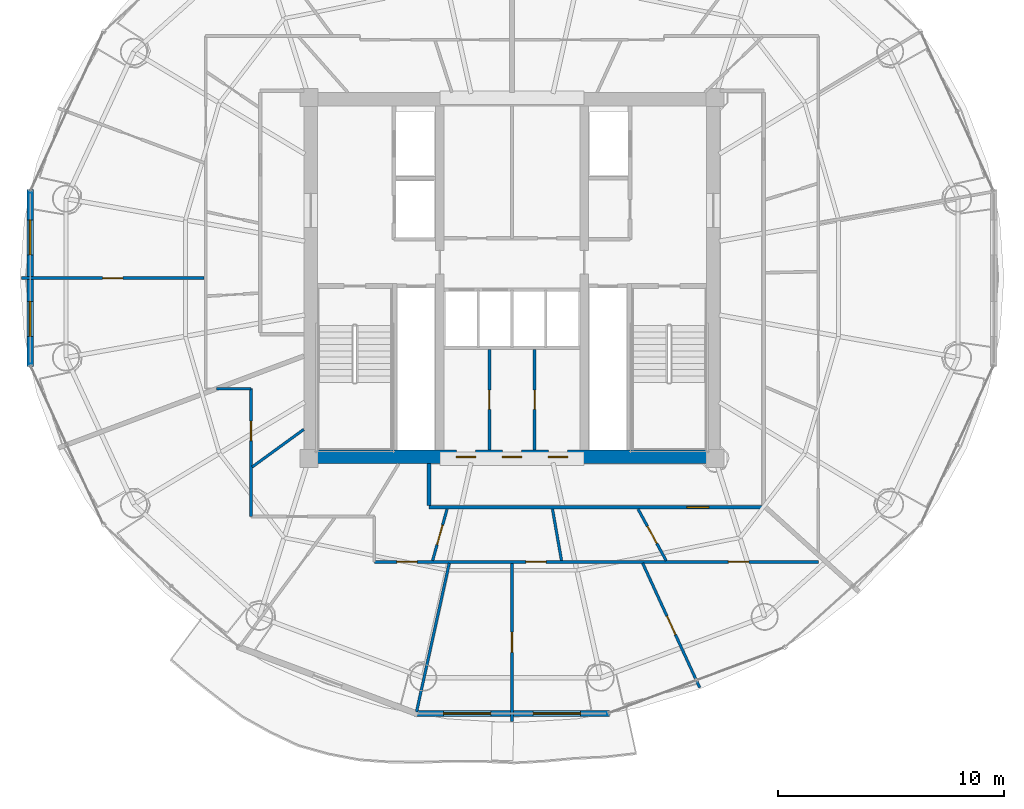
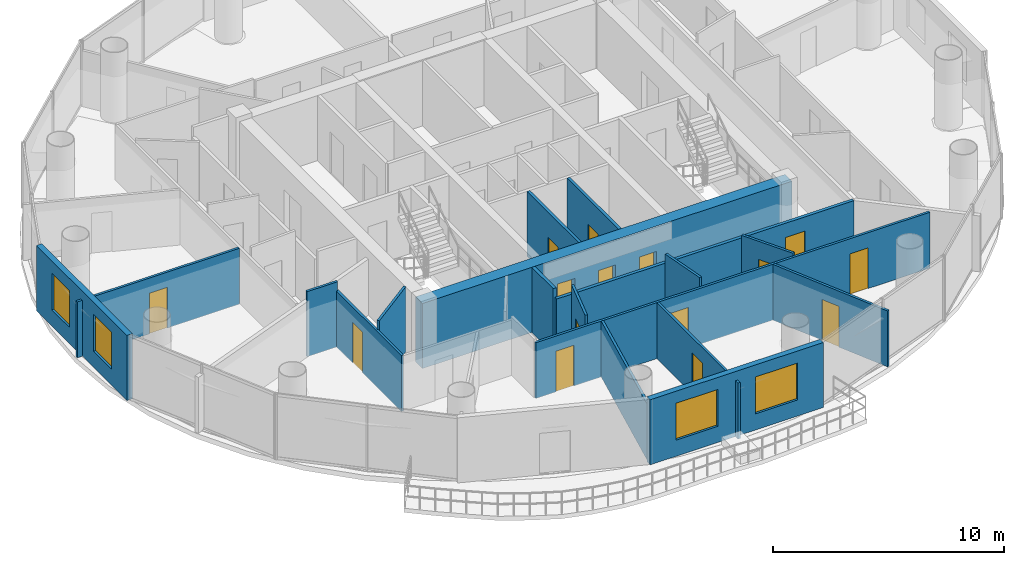
# One storey, part 20 of 26: 18 walls, 15 doors, 4 windows, 19 openings.
"""IFC4 building model written with IfcOpenShell, lengths in metres."""

import ifcopenshell
import ifcopenshell.guid

model = None  # the IFC model being written
_history = None  # IfcOwnerHistory: only IFC2X3 demands one
_inside = {}  # id of a spatial element -> (the spatial element, [elements in it])
_under = {}  # id of a project, library or spatial element -> (it, [spatial elements below it])
_declared = {}  # id of a project -> (the project, [libraries it declares])
_typed = {}  # id of a type object -> (the type object, [elements of that type])
_made_of = {}  # id of a material, layer set ... -> (it, [elements and type objects made of it])


def new_model(schema):
    """Start an empty IFC model of exactly this schema.

    Asked for "IFC4X3", IfcOpenShell would pick the latest addendum, in which some entities
    have other attributes; the version numbers below select the first issue.
    IFC2X3 requires an IfcOwnerHistory on every rooted entity: one is made here for all.
    """
    global model, _history
    if schema == "IFC4X3":
        model = ifcopenshell.file(schema_version=(4, 3, 0, 0))
    else:
        model = ifcopenshell.file(schema=schema)
    _inside.clear()
    _under.clear()
    _declared.clear()
    _typed.clear()
    _made_of.clear()
    _history = None
    if model.schema == "IFC2X3":
        org = make("IfcOrganization", Name="unknown")
        user = make(
            "IfcPersonAndOrganization",
            ThePerson=make("IfcPerson", FamilyName="unknown"),
            TheOrganization=org,
        )
        app = make(
            "IfcApplication",
            ApplicationDeveloper=org,
            Version="unknown",
            ApplicationFullName="unknown",
            ApplicationIdentifier="unknown",
        )
        _history = make(
            "IfcOwnerHistory",
            OwningUser=user,
            OwningApplication=app,
            ChangeAction="ADDED",
            CreationDate=0,
        )
    return model


def make(cls, **values):
    """One entity of the class cls with the attributes given. An attribute that is None is left unset."""
    return model.create_entity(
        cls, **{name: value for name, value in values.items() if value is not None}
    )


def rooted(cls, **values):
    """An entity with a GlobalId (a new one), such as an element, a storey or a relation."""
    return make(cls, GlobalId=ifcopenshell.guid.new(), OwnerHistory=_history, **values)


def si_unit(unit_type, name, prefix=None):
    """IfcSIUnit, for example si_unit("LENGTHUNIT", "METRE", prefix="MILLI")."""
    return make("IfcSIUnit", UnitType=unit_type, Prefix=prefix, Name=name)


def assignment(units):
    """IfcUnitAssignment: the units of a project."""
    return None if units is None else make("IfcUnitAssignment", Units=units)


def point(xyz):
    """IfcCartesianPoint."""
    return None if xyz is None else make("IfcCartesianPoint", Coordinates=xyz)


def direction(xyz):
    """IfcDirection."""
    return None if xyz is None else make("IfcDirection", DirectionRatios=xyz)


def frame(location, z_axis=None, x_axis=None):
    """IfcAxis2Placement3D, a coordinate frame: its origin and axes. An axis left out is left unset."""
    return make(
        "IfcAxis2Placement3D",
        Location=point(location),
        Axis=direction(z_axis),
        RefDirection=direction(x_axis),
    )


def frame_2d(location, x_axis=None):
    """IfcAxis2Placement2D, a coordinate frame in the plane: its origin and x axis."""
    return make(
        "IfcAxis2Placement2D", Location=point(location), RefDirection=direction(x_axis)
    )


def origin():
    """The frame at (0, 0, 0) with its axes left unset."""
    return frame((0.0, 0.0, 0.0))


def place(relative_to, where):
    """IfcLocalPlacement: puts the frame where relative to a parent placement (None: the world)."""
    return make(
        "IfcLocalPlacement", PlacementRelTo=relative_to, RelativePlacement=where
    )


def context(
    kind, dimensions, precision=None, world=None, true_north=None, identifier=None
):
    """IfcGeometricRepresentationContext, for example the 3D "Model" context."""
    return make(
        "IfcGeometricRepresentationContext",
        ContextIdentifier=identifier,
        ContextType=kind,
        CoordinateSpaceDimension=dimensions,
        Precision=precision,
        WorldCoordinateSystem=world,
        TrueNorth=true_north,
    )


def subcontext(parent, identifier, kind, view, scale=None):
    """IfcGeometricRepresentationSubContext, for example "Body" below "Model"."""
    return make(
        "IfcGeometricRepresentationSubContext",
        ContextIdentifier=identifier,
        ContextType=kind,
        ParentContext=parent,
        TargetScale=scale,
        TargetView=view,
    )


def project(units=None, contexts=None):
    """IfcProject with its units and contexts."""
    return rooted(
        "IfcProject",
        Name="project",
        RepresentationContexts=contexts,
        UnitsInContext=assignment(units),
    )


def spatial(cls, under=None, at=None, **own):
    """A site, building, storey or space (cls), placed at a placement, below another one or the project."""
    s = rooted(cls, ObjectPlacement=at, **own)
    if under is not None:
        _under.setdefault(under.id(), (under, []))[1].append(s)
    return s


def profile(cls, at=None, kind="AREA", **sizes):
    """A parametric profile (cls). Its sizes go by their IFC names, for example OverallWidth=200.0."""
    return make(cls, ProfileType=kind, Position=at, **sizes)


def rectangle(**sizes):
    """IfcRectangleProfileDef."""
    return profile("IfcRectangleProfileDef", **sizes)


def extrude(swept, where, along, depth):
    """IfcExtrudedAreaSolid: the profile swept, set in the frame where, extruded along a direction by depth."""
    return make(
        "IfcExtrudedAreaSolid",
        SweptArea=swept,
        Position=where,
        ExtrudedDirection=direction(along),
        Depth=depth,
    )


def shape(context_of_items, identifier, shape_type, items):
    """IfcShapeRepresentation: the items that make up one representation, for example the "Body"."""
    return make(
        "IfcShapeRepresentation",
        ContextOfItems=context_of_items,
        RepresentationIdentifier=identifier,
        RepresentationType=shape_type,
        Items=items,
    )


def source(mapping_origin, context_of_items, identifier, shape_type, items):
    """IfcRepresentationMap: a shape defined once, which mapped items show again and again."""
    return make(
        "IfcRepresentationMap",
        MappingOrigin=mapping_origin,
        MappedRepresentation=shape(context_of_items, identifier, shape_type, items),
    )


def transform(
    local_origin,
    x_axis=None,
    y_axis=None,
    z_axis=None,
    scale=None,
    scale2=None,
    scale3=None,
    uniform=True,
):
    """IfcCartesianTransformationOperator3D, or its non-uniform kind. x_axis, y_axis, z_axis: its Axis1, 2, 3."""
    if uniform:
        return make(
            "IfcCartesianTransformationOperator3D",
            Axis1=direction(x_axis),
            Axis2=direction(y_axis),
            LocalOrigin=point(local_origin),
            Scale=scale,
            Axis3=direction(z_axis),
        )
    return make(
        "IfcCartesianTransformationOperator3DnonUniform",
        Axis1=direction(x_axis),
        Axis2=direction(y_axis),
        LocalOrigin=point(local_origin),
        Scale=scale,
        Axis3=direction(z_axis),
        Scale2=scale2,
        Scale3=scale3,
    )


def mapped(mapping_source, mapping_target):
    """IfcMappedItem: shows the shape of a source again, moved by a transform."""
    return make(
        "IfcMappedItem", MappingSource=mapping_source, MappingTarget=mapping_target
    )


def material(Name=None, Category=None):
    """IfcMaterial."""
    return make("IfcMaterial", Name=Name, Category=Category)


def layer(
    of_material, thickness, ventilated=None, Name=None, Category=None, Priority=None
):
    """IfcMaterialLayer: one layer of a wall or slab, of a material (None: an air gap)."""
    return make(
        "IfcMaterialLayer",
        Material=of_material,
        LayerThickness=thickness,
        IsVentilated=ventilated,
        Name=Name,
        Category=Category,
        Priority=Priority,
    )


def layer_set(layers, Name=None):
    """IfcMaterialLayerSet."""
    return make("IfcMaterialLayerSet", MaterialLayers=layers, LayerSetName=Name)


def made_of(thing, what):
    """Note that an element or type object is made of a material, layer set ...; save() writes the relation."""
    if what is not None:
        _made_of.setdefault(what.id(), (what, []))[1].append(thing)
    return thing


def type_object(cls, material=None, **own):
    """A type object (cls), such as IfcWallType, which elements share."""
    return made_of(rooted(cls, **own), material)


def element(
    cls,
    number,
    at=None,
    inside=None,
    cuts=None,
    type_object=None,
    material=None,
    context=None,
    identifier="Body",
    shape_type=None,
    held_by="IfcProductDefinitionShape",
    body=None,
    shapes=None,
    **own,
):
    """One element of the class cls, such as IfcWall. Its Tag is "e" and its number.

    at: its placement. inside: the storey or other place that contains it. cuts: it is an
    opening in that element (IfcRelVoidsElement). A single representation is given by context,
    identifier, shape_type and body (its items); several are given by shapes. held_by: the class
    of the entity that holds the representations. save() writes the other relations.
    """
    e = rooted(cls, Tag="e%d" % number, ObjectPlacement=at, **own)
    if body is not None:
        shapes = [shape(context, identifier, shape_type, body)]
    if shapes is not None:
        e.Representation = make(held_by, Representations=shapes)
    if inside is not None:
        _inside.setdefault(inside.id(), (inside, []))[1].append(e)
    if cuts is not None:
        rooted(
            "IfcRelVoidsElement", RelatingBuildingElement=cuts, RelatedOpeningElement=e
        )
    if type_object is not None:
        _typed.setdefault(type_object.id(), (type_object, []))[1].append(e)
    return made_of(e, material)


def fill(opening, filler):
    """IfcRelFillsElement: the door or window that sits in an opening."""
    return rooted(
        "IfcRelFillsElement",
        RelatingOpeningElement=opening,
        RelatedBuildingElement=filler,
    )


def aggregate(whole, parts):
    """IfcRelAggregates: a whole, such as a stair, and the parts it consists of."""
    return rooted("IfcRelAggregates", RelatingObject=whole, RelatedObjects=parts)


def save(model, path):
    """Write the relations noted so far, then the file.

    IfcRelAggregates (storeys below a building ...), IfcRelContainedInSpatialStructure (elements
    in a storey), IfcRelDefinesByType, IfcRelAssociatesMaterial and IfcRelDeclares: one each for
    every whole, place, type object, material and project.
    """
    for whole, parts in _under.values():
        aggregate(whole, parts)
    for where, things in _inside.values():
        rooted(
            "IfcRelContainedInSpatialStructure",
            RelatedElements=things,
            RelatingStructure=where,
        )
    for kind, things in _typed.values():
        rooted("IfcRelDefinesByType", RelatedObjects=things, RelatingType=kind)
    for what, things in _made_of.values():
        rooted("IfcRelAssociatesMaterial", RelatedObjects=things, RelatingMaterial=what)
    for by, libraries in _declared.values():
        rooted("IfcRelDeclares", RelatingContext=by, RelatedDefinitions=libraries)
    model.write(path)


model = new_model("IFC4")

# Units and contexts
model_context = context("Model", 3, precision=1e-05, world=origin(), true_north=direction((-0.2419218956, 0.970295726276)))
body_context = subcontext(model_context, "Body", "Model", "MODEL_VIEW")
ifc_project = project(units=[si_unit("LENGTHUNIT", "METRE"), si_unit("AREAUNIT", "SQUARE_METRE"), si_unit("VOLUMEUNIT", "CUBIC_METRE"), si_unit("PLANEANGLEUNIT", "RADIAN"), si_unit("MASSUNIT", "GRAM", prefix="KILO")], contexts=[model_context])

# Site, building, storey
site_placement = place(None, origin())
site = spatial("IfcSite", under=ifc_project, at=site_placement, CompositionType="ELEMENT")
building_placement = place(site_placement, origin())
building = spatial("IfcBuilding", under=site, at=building_placement, Name="Cobrevalo Terracotta Tower", CompositionType="ELEMENT")
storey_placement = place(building_placement, frame((0.0, 0.0, 209.699951171875)))
storey = spatial("IfcBuildingStorey", under=building, at=storey_placement, Name="L55", CompositionType="ELEMENT", Elevation=209.699951171875)

# Wall, openings, doors
ifc_material_1 = material(Name="Concrete C55", Category="concrete")
ifc_layer_1 = layer(ifc_material_1, 0.60009765625)
ifc_layer_set_1 = layer_set([ifc_layer_1], Name="Concrete C55")
wall_type_1 = type_object("IfcWallType", Name="Core shear wall 600 mm Concrete C55", PredefinedType="SHEAR", material=ifc_layer_set_1)
wall_1_placement = place(storey_placement, frame((28.77490234375, 18.875, 0.0), z_axis=(0.0, 0.0, 1.0), x_axis=(1.0, 0.0, 0.0)))
wall_1 = element("IfcWall", 1, at=wall_1_placement, inside=storey, type_object=wall_type_1, Name="L55 south core shear wall", PredefinedType="SHEAR", context=body_context, shape_type="SweptSolid", body=[
    extrude(rectangle(XDim=18.4501953125, YDim=0.60009765625, at=frame_2d((9.22509765625, 0.0))), origin(), (0.0, 0.0, 1.0), 3.43505859375),
])
opening_1_placement = place(wall_1_placement, frame((6.760009765625, 0.0, 0.0)))
opening_1 = element("IfcOpeningElement", 2, at=opening_1_placement, cuts=wall_1, Name="Opening ID-22", PredefinedType="OPENING", context=body_context, shape_type="SweptSolid", body=[
    extrude(rectangle(XDim=0.85009765625, YDim=2.10009765625, at=frame_2d((0.425048828125, 1.050048828125))), frame((0.0, 0.31005859375, 0.0), z_axis=(0.0, -1.0, 0.0), x_axis=(1.0, 0.0, 0.0)), (0.0, 0.0, 1.0), 0.6201171875),
])
opening_2_placement = place(wall_1_placement, frame((8.800048828125, 0.0, 0.0)))
opening_2 = element("IfcOpeningElement", 3, at=opening_2_placement, cuts=wall_1, Name="Opening ID-22", PredefinedType="OPENING", context=body_context, shape_type="SweptSolid", body=[
    extrude(rectangle(XDim=0.85009765625, YDim=2.10009765625, at=frame_2d((0.425048828125, 1.050048828125))), frame((0.0, 0.31005859375, 0.0), z_axis=(0.0, -1.0, 0.0), x_axis=(1.0, 0.0, 0.0)), (0.0, 0.0, 1.0), 0.6201171875),
])
opening_3_placement = place(wall_1_placement, frame((10.840087890625, 0.0, 0.0)))
opening_3 = element("IfcOpeningElement", 4, at=opening_3_placement, cuts=wall_1, Name="Opening ID-22", PredefinedType="OPENING", context=body_context, shape_type="SweptSolid", body=[
    extrude(rectangle(XDim=0.85009765625, YDim=2.10009765625, at=frame_2d((0.425048828125, 1.050048828125))), frame((0.0, 0.31005859375, 0.0), z_axis=(0.0, -1.0, 0.0), x_axis=(1.0, 0.0, 0.0)), (0.0, 0.0, 1.0), 0.6201171875),
])
ifc_material_2 = material(Name="Powder-coated steel", Category="steel")
door_type_1 = type_object("IfcDoorType", Name="Riser shaft & meter closet fire access door 850x2100 EI 60", OperationType="NOTDEFINED", PredefinedType="DOOR", material=ifc_material_2)
shared_shape_1 = source(origin(), body_context, "Body", "SweptSolid", [
    extrude(rectangle(XDim=0.85009765625, YDim=2.10009765625, at=frame_2d((0.425048828125, 1.050048828125))), frame((0.0, 0.02490234375, 0.0), z_axis=(0.0, -1.0, 0.0), x_axis=(1.0, 0.0, 0.0)), (0.0, 0.0, 1.0), 0.050048828125),
])
door_1_placement = place(opening_1_placement, origin())
door_1 = element("IfcDoor", 5, at=door_1_placement, inside=storey, type_object=door_type_1, Name="L55 core south plant door HVAC Supply Air Plant", OperationType="SINGLE_SWING_RIGHT", OverallHeight=2.10009765625, OverallWidth=0.85009765625, PredefinedType="DOOR", context=body_context, shape_type="MappedRepresentation", body=[
    mapped(shared_shape_1, transform((0.0, 0.0, 0.0), scale=1.0)),
])
fill(opening_1, door_1)
door_2_placement = place(opening_2_placement, origin())
door_2 = element("IfcDoor", 6, at=door_2_placement, inside=storey, type_object=door_type_1, Name="L55 core south plant door Refuse Chute Store Room", OperationType="SINGLE_SWING_RIGHT", OverallHeight=2.10009765625, OverallWidth=0.85009765625, PredefinedType="DOOR", context=body_context, shape_type="MappedRepresentation", body=[
    mapped(shared_shape_1, transform((0.0, 0.0, 0.0), scale=1.0)),
])
fill(opening_2, door_2)
door_3_placement = place(opening_3_placement, origin())
door_3 = element("IfcDoor", 7, at=door_3_placement, inside=storey, type_object=door_type_1, Name="L55 core south plant door Hydronic Pump Manifold Plant", OperationType="SINGLE_SWING_RIGHT", OverallHeight=2.10009765625, OverallWidth=0.85009765625, PredefinedType="DOOR", context=body_context, shape_type="MappedRepresentation", body=[
    mapped(shared_shape_1, transform((0.0, 0.0, 0.0), scale=1.0)),
])
fill(opening_3, door_3)

# Wall, opening, door
ifc_material_3 = material(Name="Gypsum board on steel stud", Category="steel")
ifc_layer_2 = layer(ifc_material_3, 0.159912109375)
ifc_layer_set_2 = layer_set([ifc_layer_2], Name="Gypsum board on steel stud")
wall_type_2 = type_object("IfcWallType", Name="Fire-rated corridor acoustic partition wall 160 mm", PredefinedType="PARTITIONING", material=ifc_layer_set_2)
wall_2_placement = place(storey_placement, frame((34.320068359375, 16.64501953125, 0.0), z_axis=(0.0, 0.0, 1.0), x_axis=(1.0, 0.0, 0.0)))
wall_2 = element("IfcWall", 8, at=wall_2_placement, inside=storey, type_object=wall_type_2, Name="L55 interior partition IW-L55-COR-S", PredefinedType="PARTITIONING", context=body_context, shape_type="SweptSolid", body=[
    extrude(rectangle(XDim=14.8349609375, YDim=0.159912109375, at=frame_2d((7.41748046875, 0.0))), origin(), (0.0, 0.0, 1.0), 2.950927734375),
])
opening_4_placement = place(wall_2_placement, frame((11.426025390625, 0.0, 0.0)))
opening_4 = element("IfcOpeningElement", 9, at=opening_4_placement, cuts=wall_2, Name="Opening ID-05", PredefinedType="OPENING", context=body_context, shape_type="SweptSolid", body=[
    extrude(rectangle(XDim=0.97998046875, YDim=2.199951171875, at=frame_2d((0.489990234375, 1.10009765625))), frame((0.0, 0.08984375, 0.0), z_axis=(0.0, -1.0, 0.0), x_axis=(1.0, 0.0, 0.0)), (0.0, 0.0, 1.0), 0.179931640625),
])
ifc_material_4 = material(Name="Solid hardwood timber", Category="wood")
door_type_2 = type_object("IfcDoorType", Name="Residence entrance fire-rated acoustic timber door 980x2200 EI 60", OperationType="NOTDEFINED", PredefinedType="DOOR", material=ifc_material_4)
shared_shape_2 = source(origin(), body_context, "Body", "SweptSolid", [
    extrude(rectangle(XDim=0.97998046875, YDim=2.199951171875, at=frame_2d((0.489990234375, 1.10009765625))), frame((0.0, 0.02490234375, 0.0), z_axis=(0.0, -1.0, 0.0), x_axis=(1.0, 0.0, 0.0)), (0.0, 0.0, 1.0), 0.050048828125),
])
door_4_placement = place(opening_4_placement, frame((0.97998046875, 0.0, 0.0), z_axis=(0.0, 0.0, 1.0), x_axis=(-1.0, 0.0, 0.0)))
door_4 = element("IfcDoor", 10, at=door_4_placement, inside=storey, type_object=door_type_2, Name="Flat L55B fire-rated apartment entrance door", OperationType="SINGLE_SWING_RIGHT", OverallHeight=2.199951171875, OverallWidth=0.97998046875, PredefinedType="DOOR", context=body_context, shape_type="MappedRepresentation", body=[
    mapped(shared_shape_2, transform((0.0, 0.0, 0.0), scale=1.0)),
])
fill(opening_4, door_4)

# Wall
wall_3_placement = place(storey_placement, frame((34.320068359375, 16.72509765625, 0.0), z_axis=(0.0, 0.0, 1.0), x_axis=(0.0, 1.0, 0.0)))
element("IfcWall", 11, at=wall_3_placement, inside=storey, type_object=wall_type_2, Name="L55 interior partition IW-L55-COR-SW-CAP", PredefinedType="PARTITIONING", context=body_context, shape_type="SweptSolid", body=[
    extrude(rectangle(XDim=1.849853515625, YDim=0.159912109375, at=frame_2d((0.9248046875, 0.0))), origin(), (0.0, 0.0, 1.0), 3.43505859375),
])

# Wall, openings, windows
ifc_material_5 = material(Name="Autoclaved aerated concrete block", Category="concrete")
ifc_layer_3 = layer(ifc_material_5, 0.280029296875)
ifc_layer_set_3 = layer_set([ifc_layer_3], Name="Autoclaved aerated concrete block")
wall_type_3 = type_object("IfcWallType", Name="Insulated tower spandrel & pier wall 280 mm with terracotta rainscreen", PredefinedType="SOLIDWALL", material=ifc_layer_set_3)
wall_4_placement = place(storey_placement, frame((16.648193359375, 30.717529296875, 0.0), z_axis=(0.0, 0.0, 1.0), x_axis=(0.0, -1.0, 0.0)))
wall_4 = element("IfcWall", 12, at=wall_4_placement, inside=storey, type_object=wall_type_3, Name="L55 terracotta rainscreen pier wall S08", PredefinedType="SOLIDWALL", context=body_context, shape_type="SweptSolid", body=[
    extrude(rectangle(XDim=7.8349609375, YDim=0.280029296875, at=frame_2d((3.91748046875, 0.0))), origin(), (0.0, 0.0, 1.0), 3.43505859375),
])
opening_5_placement = place(wall_4_placement, frame((1.34033203125, 0.0, 0.85009765625)))
opening_5 = element("IfcOpeningElement", 13, at=opening_5_placement, cuts=wall_4, Name="Opening WN-12", PredefinedType="OPENING", context=body_context, shape_type="SweptSolid", body=[
    extrude(rectangle(XDim=1.550048828125, YDim=1.949951171875, at=frame_2d((0.77490234375, 0.97509765625))), frame((0.0, 0.14990234375, 0.0), z_axis=(0.0, -1.0, 0.0), x_axis=(1.0, 0.0, 0.0)), (0.0, 0.0, 1.0), 0.300048828125),
])
opening_6_placement = place(wall_4_placement, frame((4.9443359375, 0.0, 0.85009765625)))
opening_6 = element("IfcOpeningElement", 14, at=opening_6_placement, cuts=wall_4, Name="Opening WN-12", PredefinedType="OPENING", context=body_context, shape_type="SweptSolid", body=[
    extrude(rectangle(XDim=1.550048828125, YDim=1.949951171875, at=frame_2d((0.77490234375, 0.97509765625))), frame((0.0, 0.14990234375, 0.0), z_axis=(0.0, -1.0, 0.0), x_axis=(1.0, 0.0, 0.0)), (0.0, 0.0, 1.0), 0.300048828125),
])
ifc_material_6 = material(Name="Solar-control low-E double glazing", Category="glass")
window_type_1 = type_object("IfcWindowType", Name="Solar-control low-E aluminium window 1550x1950", PartitioningType="SINGLE_PANEL", PredefinedType="WINDOW", material=ifc_material_6)
shared_shape_3 = source(origin(), body_context, "Body", "SweptSolid", [
    extrude(rectangle(XDim=1.550048828125, YDim=1.949951171875, at=frame_2d((0.77490234375, 0.97509765625))), frame((0.0, 0.030029296875, 0.0), z_axis=(0.0, -1.0, 0.0), x_axis=(1.0, 0.0, 0.0)), (0.0, 0.0, 1.0), 0.06005859375),
])
window_1_placement = place(opening_5_placement, origin())
window_1 = element("IfcWindow", 15, at=window_1_placement, inside=storey, type_object=window_type_1, Name="L55 suite window S08A", OverallHeight=1.949951171875, OverallWidth=1.550048828125, PartitioningType="SINGLE_PANEL", PredefinedType="WINDOW", context=body_context, shape_type="MappedRepresentation", body=[
    mapped(shared_shape_3, transform((0.0, 0.0, 0.0), scale=1.0)),
])
fill(opening_5, window_1)
window_2_placement = place(opening_6_placement, origin())
window_2 = element("IfcWindow", 16, at=window_2_placement, inside=storey, type_object=window_type_1, Name="L55 suite window S08B", OverallHeight=1.949951171875, OverallWidth=1.550048828125, PartitioningType="SINGLE_PANEL", PredefinedType="WINDOW", context=body_context, shape_type="MappedRepresentation", body=[
    mapped(shared_shape_3, transform((0.0, 0.0, 0.0), scale=1.0)),
])
fill(opening_6, window_2)

wall_5_placement = place(storey_placement, frame((33.6728515625, 7.508056640625, 0.0), z_axis=(0.0, 0.0, 1.0), x_axis=(1.0, 0.0, 0.0)))
wall_5 = element("IfcWall", 17, at=wall_5_placement, inside=storey, type_object=wall_type_3, Name="L55 terracotta rainscreen pier wall S12", PredefinedType="SOLIDWALL", context=body_context, shape_type="SweptSolid", body=[
    extrude(rectangle(XDim=8.654296875, YDim=0.280029296875, at=frame_2d((4.3271484375, 0.0))), origin(), (0.0, 0.0, 1.0), 3.43505859375),
])
opening_7_placement = place(wall_5_placement, frame((1.28662109375, 0.0, 0.85009765625)))
opening_7 = element("IfcOpeningElement", 18, at=opening_7_placement, cuts=wall_5, Name="Opening WN-10", PredefinedType="OPENING", context=body_context, shape_type="SweptSolid", body=[
    extrude(rectangle(XDim=2.10009765625, YDim=1.949951171875, at=frame_2d((1.050048828125, 0.97509765625))), frame((0.0, 0.14990234375, 0.0), z_axis=(0.0, -1.0, 0.0), x_axis=(1.0, 0.0, 0.0)), (0.0, 0.0, 1.0), 0.300048828125),
])
opening_8_placement = place(wall_5_placement, frame((5.267578125, 0.0, 0.85009765625)))
opening_8 = element("IfcOpeningElement", 19, at=opening_8_placement, cuts=wall_5, Name="Opening WN-10", PredefinedType="OPENING", context=body_context, shape_type="SweptSolid", body=[
    extrude(rectangle(XDim=2.10009765625, YDim=1.949951171875, at=frame_2d((1.050048828125, 0.97509765625))), frame((0.0, 0.14990234375, 0.0), z_axis=(0.0, -1.0, 0.0), x_axis=(1.0, 0.0, 0.0)), (0.0, 0.0, 1.0), 0.300048828125),
])
window_type_2 = type_object("IfcWindowType", Name="Wide panoramic low-E aluminium window 2100x1950", PartitioningType="SINGLE_PANEL", PredefinedType="WINDOW", material=ifc_material_6)
shared_shape_4 = source(origin(), body_context, "Body", "SweptSolid", [
    extrude(rectangle(XDim=2.10009765625, YDim=1.949951171875, at=frame_2d((1.050048828125, 0.97509765625))), frame((0.0, 0.030029296875, 0.0), z_axis=(0.0, -1.0, 0.0), x_axis=(1.0, 0.0, 0.0)), (0.0, 0.0, 1.0), 0.06005859375),
])
window_3_placement = place(opening_7_placement, origin())
window_3 = element("IfcWindow", 20, at=window_3_placement, inside=storey, type_object=window_type_2, Name="L55 suite window S12A", OverallHeight=1.949951171875, OverallWidth=2.10009765625, PartitioningType="SINGLE_PANEL", PredefinedType="WINDOW", context=body_context, shape_type="MappedRepresentation", body=[
    mapped(shared_shape_4, transform((0.0, 0.0, 0.0), scale=1.0)),
])
fill(opening_7, window_3)
window_4_placement = place(opening_8_placement, origin())
window_4 = element("IfcWindow", 21, at=window_4_placement, inside=storey, type_object=window_type_2, Name="L55 suite window S12B", OverallHeight=1.949951171875, OverallWidth=2.10009765625, PartitioningType="SINGLE_PANEL", PredefinedType="WINDOW", context=body_context, shape_type="MappedRepresentation", body=[
    mapped(shared_shape_4, transform((0.0, 0.0, 0.0), scale=1.0)),
])
fill(opening_8, window_4)

# Wall, opening, door
ifc_layer_4 = layer(ifc_material_5, 0.139892578125)
ifc_layer_set_4 = layer_set([ifc_layer_4], Name="Autoclaved aerated concrete block")
wall_type_4 = type_object("IfcWallType", Name="Moisture-resistant wet-room & core service partition 140 mm", PredefinedType="PARTITIONING", material=ifc_layer_set_4)
wall_6_placement = place(storey_placement, frame((37.0, 19.175048828125, 0.0), z_axis=(0.0, 0.0, 1.0), x_axis=(0.0, 1.0, 0.0)))
wall_6 = element("IfcWall", 22, at=wall_6_placement, inside=storey, type_object=wall_type_4, Name="L55 interior partition IW-L55-KVS-V1", PredefinedType="PARTITIONING", context=body_context, shape_type="SweptSolid", body=[
    extrude(rectangle(XDim=4.46484375, YDim=0.139892578125, at=frame_2d((2.232421875, 0.0))), origin(), (0.0, 0.0, 1.0), 3.43505859375),
])
opening_9_placement = place(wall_6_placement, frame((1.8076171875, 0.0, 0.0)))
opening_9 = element("IfcOpeningElement", 23, at=opening_9_placement, cuts=wall_6, Name="Opening ID-22", PredefinedType="OPENING", context=body_context, shape_type="SweptSolid", body=[
    extrude(rectangle(XDim=0.85009765625, YDim=2.10009765625, at=frame_2d((0.425048828125, 1.050048828125))), frame((0.0, 0.080078125, 0.0), z_axis=(0.0, -1.0, 0.0), x_axis=(1.0, 0.0, 0.0)), (0.0, 0.0, 1.0), 0.159912109375),
])
door_5_placement = place(opening_9_placement, origin())
door_5 = element("IfcDoor", 24, at=door_5_placement, inside=storey, type_object=door_type_1, Name="L55 core KVS-V1 inner door", OperationType="SINGLE_SWING_LEFT", OverallHeight=2.10009765625, OverallWidth=0.85009765625, PredefinedType="DOOR", context=body_context, shape_type="MappedRepresentation", body=[
    mapped(shared_shape_1, transform((0.0, 0.0, 0.0), scale=1.0)),
])
fill(opening_9, door_5)

wall_7_placement = place(storey_placement, frame((39.0, 19.175048828125, 0.0), z_axis=(0.0, 0.0, 1.0), x_axis=(0.0, 1.0, 0.0)))
wall_7 = element("IfcWall", 25, at=wall_7_placement, inside=storey, type_object=wall_type_4, Name="L55 interior partition IW-L55-KVS-V2", PredefinedType="PARTITIONING", context=body_context, shape_type="SweptSolid", body=[
    extrude(rectangle(XDim=4.46484375, YDim=0.139892578125, at=frame_2d((2.232421875, 0.0))), origin(), (0.0, 0.0, 1.0), 3.43505859375),
])
opening_10_placement = place(wall_7_placement, frame((1.8076171875, 0.0, 0.0)))
opening_10 = element("IfcOpeningElement", 26, at=opening_10_placement, cuts=wall_7, Name="Opening ID-22", PredefinedType="OPENING", context=body_context, shape_type="SweptSolid", body=[
    extrude(rectangle(XDim=0.85009765625, YDim=2.10009765625, at=frame_2d((0.425048828125, 1.050048828125))), frame((0.0, 0.080078125, 0.0), z_axis=(0.0, -1.0, 0.0), x_axis=(1.0, 0.0, 0.0)), (0.0, 0.0, 1.0), 0.159912109375),
])
door_6_placement = place(opening_10_placement, origin())
door_6 = element("IfcDoor", 27, at=door_6_placement, inside=storey, type_object=door_type_1, Name="L55 core KVS-V2 inner door", OperationType="SINGLE_SWING_LEFT", OverallHeight=2.10009765625, OverallWidth=0.85009765625, PredefinedType="DOOR", context=body_context, shape_type="MappedRepresentation", body=[
    mapped(shared_shape_1, transform((0.0, 0.0, 0.0), scale=1.0)),
])
fill(opening_10, door_6)

ifc_layer_5 = layer(ifc_material_3, 0.1201171875)
ifc_layer_set_5 = layer_set([ifc_layer_5], Name="Gypsum board on steel stud")
wall_type_5 = type_object("IfcWallType", Name="Residential internal acoustic stud partition 120 mm", PredefinedType="PARTITIONING", material=ifc_layer_set_5)
wall_8_placement = place(storey_placement, frame((24.363037109375, 26.800048828125, 0.0), z_axis=(0.0, 0.0, 1.0), x_axis=(-1.0, 0.0, 0.0)))
wall_8 = element("IfcWall", 28, at=wall_8_placement, inside=storey, type_object=wall_type_5, Name="L55 interior partition IW-L55-U1-ORAD3", PredefinedType="PARTITIONING", context=body_context, shape_type="SweptSolid", body=[
    extrude(rectangle(XDim=8.10302734375, YDim=0.1201171875, at=frame_2d((4.051513671875, 0.0))), origin(), (0.0, 0.0, 1.0), 2.950927734375),
])
opening_11_placement = place(wall_8_placement, frame((3.6015625, 0.0, 0.0)))
opening_11 = element("IfcOpeningElement", 29, at=opening_11_placement, cuts=wall_8, Name="Opening ID-12", PredefinedType="OPENING", context=body_context, shape_type="SweptSolid", body=[
    extrude(rectangle(XDim=0.89990234375, YDim=2.14990234375, at=frame_2d((0.449951171875, 1.074951171875))), frame((0.0, 0.070068359375, 0.0), z_axis=(0.0, -1.0, 0.0), x_axis=(1.0, 0.0, 0.0)), (0.0, 0.0, 1.0), 0.14013671875),
])
ifc_material_7 = material(Name="Engineered timber", Category="wood")
door_type_3 = type_object("IfcDoorType", Name="Internal residence & suite timber door 900x2150", OperationType="NOTDEFINED", PredefinedType="DOOR", material=ifc_material_7)
shared_shape_5 = source(origin(), body_context, "Body", "SweptSolid", [
    extrude(rectangle(XDim=0.89990234375, YDim=2.14990234375, at=frame_2d((0.449951171875, 1.074951171875))), frame((0.0, 0.02490234375, 0.0), z_axis=(0.0, -1.0, 0.0), x_axis=(1.0, 0.0, 0.0)), (0.0, 0.0, 1.0), 0.050048828125),
])
door_7_placement = place(opening_11_placement, origin())
door_7 = element("IfcDoor", 30, at=door_7_placement, inside=storey, type_object=door_type_3, Name="Flat L55A Principal Guest Bedroom internal door", OperationType="SINGLE_SWING_RIGHT", OverallHeight=2.14990234375, OverallWidth=0.89990234375, PredefinedType="DOOR", context=body_context, shape_type="MappedRepresentation", body=[
    mapped(shared_shape_5, transform((0.0, 0.0, 0.0), scale=1.0)),
])
fill(opening_11, door_7)

# Wall, openings, doors
wall_9_placement = place(storey_placement, frame((51.574951171875, 14.22509765625, 0.0), z_axis=(0.0, 0.0, 1.0), x_axis=(-1.0, 0.0, 0.0)))
wall_9 = element("IfcWall", 31, at=wall_9_placement, inside=storey, type_object=wall_type_5, Name="L55 interior partition IW-L55-U2-RING1_0", PredefinedType="PARTITIONING", context=body_context, shape_type="SweptSolid", body=[
    extrude(rectangle(XDim=19.675048828125, YDim=0.1201171875, at=frame_2d((9.83740234375, 0.0))), origin(), (0.0, 0.0, 1.0), 2.950927734375),
])
opening_12_placement = place(wall_9_placement, frame((3.0830078125, 0.0, 0.0)))
opening_12 = element("IfcOpeningElement", 32, at=opening_12_placement, cuts=wall_9, Name="Opening ID-12", PredefinedType="OPENING", context=body_context, shape_type="SweptSolid", body=[
    extrude(rectangle(XDim=0.89990234375, YDim=2.14990234375, at=frame_2d((0.449951171875, 1.074951171875))), frame((0.0, 0.070068359375, 0.0), z_axis=(0.0, -1.0, 0.0), x_axis=(1.0, 0.0, 0.0)), (0.0, 0.0, 1.0), 0.14013671875),
])
opening_13_placement = place(wall_9_placement, frame((12.06298828125, 0.0, 0.0)))
opening_13 = element("IfcOpeningElement", 33, at=opening_13_placement, cuts=wall_9, Name="Opening ID-12", PredefinedType="OPENING", context=body_context, shape_type="SweptSolid", body=[
    extrude(rectangle(XDim=0.89990234375, YDim=2.14990234375, at=frame_2d((0.449951171875, 1.074951171875))), frame((0.0, 0.070068359375, 0.0), z_axis=(0.0, -1.0, 0.0), x_axis=(1.0, 0.0, 0.0)), (0.0, 0.0, 1.0), 0.14013671875),
])
opening_14_placement = place(wall_9_placement, frame((17.77734375, 0.0, 0.0)))
opening_14 = element("IfcOpeningElement", 34, at=opening_14_placement, cuts=wall_9, Name="Opening ID-12", PredefinedType="OPENING", context=body_context, shape_type="SweptSolid", body=[
    extrude(rectangle(XDim=0.89990234375, YDim=2.14990234375, at=frame_2d((0.449951171875, 1.074951171875))), frame((0.0, 0.070068359375, 0.0), z_axis=(0.0, -1.0, 0.0), x_axis=(1.0, 0.0, 0.0)), (0.0, 0.0, 1.0), 0.14013671875),
])
door_8_placement = place(opening_12_placement, origin())
door_8 = element("IfcDoor", 35, at=door_8_placement, inside=storey, type_object=door_type_3, Name="Flat L55B Penthouse Family Lounge internal door", OperationType="SINGLE_SWING_RIGHT", OverallHeight=2.14990234375, OverallWidth=0.89990234375, PredefinedType="DOOR", context=body_context, shape_type="MappedRepresentation", body=[
    mapped(shared_shape_5, transform((0.0, 0.0, 0.0), scale=1.0)),
])
fill(opening_12, door_8)
door_9_placement = place(opening_13_placement, frame((0.89990234375, 0.0, 0.0), z_axis=(0.0, 0.0, 1.0), x_axis=(-1.0, 0.0, 0.0)))
door_9 = element("IfcDoor", 36, at=door_9_placement, inside=storey, type_object=door_type_3, Name="Flat L55B Kitchen internal door", OperationType="SINGLE_SWING_RIGHT", OverallHeight=2.14990234375, OverallWidth=0.89990234375, PredefinedType="DOOR", context=body_context, shape_type="MappedRepresentation", body=[
    mapped(shared_shape_5, transform((0.0, 0.0, 0.0), scale=1.0)),
])
fill(opening_13, door_9)
door_10_placement = place(opening_14_placement, origin())
door_10 = element("IfcDoor", 37, at=door_10_placement, inside=storey, type_object=door_type_3, Name="Flat L55B Master Bedroom internal door", OperationType="SINGLE_SWING_RIGHT", OverallHeight=2.14990234375, OverallWidth=0.89990234375, PredefinedType="DOOR", context=body_context, shape_type="MappedRepresentation", body=[
    mapped(shared_shape_5, transform((0.0, 0.0, 0.0), scale=1.0)),
])
fill(opening_14, door_10)

# Wall, opening, door
wall_10_placement = place(storey_placement, frame((26.43505859375, 16.235107421875, 0.0), z_axis=(0.0, 0.0, 1.0), x_axis=(0.0, 1.0, 0.0)))
wall_10 = element("IfcWall", 38, at=wall_10_placement, inside=storey, type_object=wall_type_5, Name="L55 interior partition IW-L55-U2-RING4_0", PredefinedType="PARTITIONING", context=body_context, shape_type="SweptSolid", body=[
    extrude(rectangle(XDim=5.664794921875, YDim=0.1201171875, at=frame_2d((2.83251953125, 0.0))), origin(), (0.0, 0.0, 1.0), 2.950927734375),
])
opening_15_placement = place(wall_10_placement, frame((3.36181640625, 0.0, 0.0)))
opening_15 = element("IfcOpeningElement", 39, at=opening_15_placement, cuts=wall_10, Name="Opening ID-19", PredefinedType="OPENING", context=body_context, shape_type="SweptSolid", body=[
    extrude(rectangle(XDim=0.860107421875, YDim=2.14990234375, at=frame_2d((0.43017578125, 1.074951171875))), frame((0.0, 0.070068359375, 0.0), z_axis=(0.0, -1.0, 0.0), x_axis=(1.0, 0.0, 0.0)), (0.0, 0.0, 1.0), 0.14013671875),
])
ifc_material_8 = material(Name="Moisture-sealed timber", Category="wood")
door_type_4 = type_object("IfcDoorType", Name="Suite bathroom internal timber door 860x2150", OperationType="NOTDEFINED", PredefinedType="DOOR", material=ifc_material_8)
shared_shape_6 = source(origin(), body_context, "Body", "SweptSolid", [
    extrude(rectangle(XDim=0.860107421875, YDim=2.14990234375, at=frame_2d((0.43017578125, 1.074951171875))), frame((0.0, 0.02490234375, 0.0), z_axis=(0.0, -1.0, 0.0), x_axis=(1.0, 0.0, 0.0)), (0.0, 0.0, 1.0), 0.050048828125),
])
door_11_placement = place(opening_15_placement, frame((0.860107421875, 0.0, 0.0), z_axis=(0.0, 0.0, 1.0), x_axis=(-1.0, 0.0, 0.0)))
door_11 = element("IfcDoor", 40, at=door_11_placement, inside=storey, type_object=door_type_4, Name="Flat L55B Guest Bathroom internal door", OperationType="SINGLE_SWING_LEFT", OverallHeight=2.14990234375, OverallWidth=0.860107421875, PredefinedType="DOOR", context=body_context, shape_type="MappedRepresentation", body=[
    mapped(shared_shape_6, transform((0.0, 0.0, 0.0), scale=1.0)),
])
fill(opening_15, door_11)

# Walls
wall_11_placement = place(storey_placement, frame((26.43505859375, 21.89990234375, 0.0), z_axis=(0.0, 0.0, 1.0), x_axis=(-1.0, 0.0, 0.0)))
element("IfcWall", 41, at=wall_11_placement, inside=storey, type_object=wall_type_5, Name="L55 interior partition IW-L55-U2-RING5_0", PredefinedType="PARTITIONING", context=body_context, shape_type="SweptSolid", body=[
    extrude(rectangle(XDim=1.525634765625, YDim=0.1201171875, at=frame_2d((0.7626953125, 0.0))), origin(), (0.0, 0.0, 1.0), 3.43505859375),
])
wall_12_placement = place(storey_placement, frame((35.21875, 14.16455078125, 0.0), z_axis=(0.0, 0.0, 1.0), x_axis=(-0.214959845337, -0.976622887758, 0.0)))
element("IfcWall", 42, at=wall_12_placement, inside=storey, type_object=wall_type_5, Name="L55 interior partition IW-L55-U2-ORAD2M1", PredefinedType="PARTITIONING", context=body_context, shape_type="SweptSolid", body=[
    extrude(rectangle(XDim=6.744140625, YDim=0.1201171875, at=frame_2d((3.3720703125, 0.0))), origin(), (0.0, 0.0, 1.0), 2.950927734375),
])

# Wall, opening, door
wall_13_placement = place(storey_placement, frame((38.0, 14.1630859375, 0.0), z_axis=(0.0, 0.0, 1.0), x_axis=(0.0, -1.0, 0.0)))
wall_13 = element("IfcWall", 43, at=wall_13_placement, inside=storey, type_object=wall_type_5, Name="L55 interior partition IW-L55-U2-ORAD2", PredefinedType="PARTITIONING", context=body_context, shape_type="SweptSolid", body=[
    extrude(rectangle(XDim=7.003173828125, YDim=0.1201171875, at=frame_2d((3.50146484375, 0.0))), origin(), (0.0, 0.0, 1.0), 2.950927734375),
])
opening_16_placement = place(wall_13_placement, frame((3.051513671875, 0.0, 0.0)))
opening_16 = element("IfcOpeningElement", 44, at=opening_16_placement, cuts=wall_13, Name="Opening ID-12", PredefinedType="OPENING", context=body_context, shape_type="SweptSolid", body=[
    extrude(rectangle(XDim=0.89990234375, YDim=2.14990234375, at=frame_2d((0.449951171875, 1.074951171875))), frame((0.0, 0.070068359375, 0.0), z_axis=(0.0, -1.0, 0.0), x_axis=(1.0, 0.0, 0.0)), (0.0, 0.0, 1.0), 0.14013671875),
])
door_12_placement = place(opening_16_placement, frame((0.89990234375, 0.0, 0.0), z_axis=(0.0, 0.0, 1.0), x_axis=(-1.0, 0.0, 0.0)))
door_12 = element("IfcDoor", 45, at=door_12_placement, inside=storey, type_object=door_type_3, Name="Flat L55B Principal Guest Bedroom internal door", OperationType="SINGLE_SWING_LEFT", OverallHeight=2.14990234375, OverallWidth=0.89990234375, PredefinedType="DOOR", context=body_context, shape_type="MappedRepresentation", body=[
    mapped(shared_shape_5, transform((0.0, 0.0, 0.0), scale=1.0)),
])
fill(opening_16, door_12)

wall_14_placement = place(storey_placement, frame((43.789794921875, 14.168701171875, 0.0), z_axis=(0.0, 0.0, 1.0), x_axis=(0.416687974363, -0.909049576218, 0.0)))
wall_14 = element("IfcWall", 46, at=wall_14_placement, inside=storey, type_object=wall_type_5, Name="L55 interior partition IW-L55-U2-ORAD3", PredefinedType="PARTITIONING", context=body_context, shape_type="SweptSolid", body=[
    extrude(rectangle(XDim=6.0654296875, YDim=0.1201171875, at=frame_2d((3.03271484375, 0.0))), origin(), (0.0, 0.0, 1.0), 2.950927734375),
])
opening_17_placement = place(wall_14_placement, frame((2.58251953125, 0.0, 0.0)))
opening_17 = element("IfcOpeningElement", 47, at=opening_17_placement, cuts=wall_14, Name="Opening ID-12", PredefinedType="OPENING", context=body_context, shape_type="SweptSolid", body=[
    extrude(rectangle(XDim=0.89990234375, YDim=2.14990234375, at=frame_2d((0.449951171875, 1.074951171875))), frame((0.0, 0.070068359375, 0.0), z_axis=(0.0, -1.0, 0.0), x_axis=(1.0, 0.0, 0.0)), (0.0, 0.0, 1.0), 0.14013671875),
])
door_13_placement = place(opening_17_placement, frame((0.89990234375, 0.0, 0.0), z_axis=(0.0, 0.0, 1.0), x_axis=(-1.0, 0.0, 0.0)))
door_13 = element("IfcDoor", 48, at=door_13_placement, inside=storey, type_object=door_type_3, Name="Flat L55B Principal Guest Bedroom internal door", OperationType="SINGLE_SWING_LEFT", OverallHeight=2.14990234375, OverallWidth=0.89990234375, PredefinedType="DOOR", context=body_context, shape_type="MappedRepresentation", body=[
    mapped(shared_shape_5, transform((0.0, 0.0, 0.0), scale=1.0)),
])
fill(opening_17, door_13)

# Wall
wall_15_placement = place(storey_placement, frame((28.77490234375, 20.094482421875, 0.0), z_axis=(0.0, 0.0, 1.0), x_axis=(-0.808862864425, -0.587997335499, 0.0)))
element("IfcWall", 49, at=wall_15_placement, inside=storey, type_object=wall_type_5, Name="L55 interior partition IW-L55-U2-IRAD1", PredefinedType="PARTITIONING", context=body_context, shape_type="SweptSolid", body=[
    extrude(rectangle(XDim=2.830810546875, YDim=0.1201171875, at=frame_2d((1.41552734375, 0.0))), origin(), (0.0, 0.0, 1.0), 3.43505859375),
])

# Wall, opening, door
wall_16_placement = place(storey_placement, frame((35.12353515625, 16.56494140625, 0.0), z_axis=(0.0, 0.0, 1.0), x_axis=(-0.270566477163, -0.962701293982, 0.0)))
wall_16 = element("IfcWall", 50, at=wall_16_placement, inside=storey, type_object=wall_type_5, Name="L55 interior partition IW-L55-U2-IRAD3", PredefinedType="PARTITIONING", context=body_context, shape_type="SweptSolid", body=[
    extrude(rectangle(XDim=2.36865234375, YDim=0.1201171875, at=frame_2d((1.184326171875, 0.0))), origin(), (0.0, 0.0, 1.0), 3.43505859375),
])
opening_18_placement = place(wall_16_placement, frame((0.734375, 0.0, 0.0)))
opening_18 = element("IfcOpeningElement", 51, at=opening_18_placement, cuts=wall_16, Name="Opening ID-12", PredefinedType="OPENING", context=body_context, shape_type="SweptSolid", body=[
    extrude(rectangle(XDim=0.89990234375, YDim=2.14990234375, at=frame_2d((0.449951171875, 1.074951171875))), frame((0.0, 0.070068359375, 0.0), z_axis=(0.0, -1.0, 0.0), x_axis=(1.0, 0.0, 0.0)), (0.0, 0.0, 1.0), 0.14013671875),
])
door_14_placement = place(opening_18_placement, frame((0.89990234375, 0.0, 0.0), z_axis=(0.0, 0.0, 1.0), x_axis=(-1.0, 0.0, 0.0)))
door_14 = element("IfcDoor", 52, at=door_14_placement, inside=storey, type_object=door_type_3, Name="Flat L55B Home Office Study internal door", OperationType="SINGLE_SWING_LEFT", OverallHeight=2.14990234375, OverallWidth=0.89990234375, PredefinedType="DOOR", context=body_context, shape_type="MappedRepresentation", body=[
    mapped(shared_shape_5, transform((0.0, 0.0, 0.0), scale=1.0)),
])
fill(opening_18, door_14)

# Wall
wall_17_placement = place(storey_placement, frame((39.7939453125, 16.56494140625, 0.0), z_axis=(0.0, 0.0, 1.0), x_axis=(0.172641422295, -0.984984740647, 0.0)))
element("IfcWall", 53, at=wall_17_placement, inside=storey, type_object=wall_type_5, Name="L55 interior partition IW-L55-U2-IRAD4", PredefinedType="PARTITIONING", context=body_context, shape_type="SweptSolid", body=[
    extrude(rectangle(XDim=2.3134765625, YDim=0.1201171875, at=frame_2d((1.15673828125, 0.0))), origin(), (0.0, 0.0, 1.0), 3.43505859375),
])

# Wall, opening, door
wall_18_placement = place(storey_placement, frame((43.58544921875, 16.56494140625, 0.0), z_axis=(0.0, 0.0, 1.0), x_axis=(0.479068920965, -0.877777288932, 0.0)))
wall_18 = element("IfcWall", 54, at=wall_18_placement, inside=storey, type_object=wall_type_5, Name="L55 interior partition IW-L55-U2-IRAD5", PredefinedType="PARTITIONING", context=body_context, shape_type="SweptSolid", body=[
    extrude(rectangle(XDim=2.603515625, YDim=0.1201171875, at=frame_2d((1.3017578125, 0.0))), origin(), (0.0, 0.0, 1.0), 3.110107421875),
])
opening_19_placement = place(wall_18_placement, frame((0.871826171875, 0.0, 0.0)))
opening_19 = element("IfcOpeningElement", 55, at=opening_19_placement, cuts=wall_18, Name="Opening ID-19", PredefinedType="OPENING", context=body_context, shape_type="SweptSolid", body=[
    extrude(rectangle(XDim=0.860107421875, YDim=2.14990234375, at=frame_2d((0.43017578125, 1.074951171875))), frame((0.0, 0.070068359375, 0.0), z_axis=(0.0, -1.0, 0.0), x_axis=(1.0, 0.0, 0.0)), (0.0, 0.0, 1.0), 0.14013671875),
])
door_15_placement = place(opening_19_placement, frame((0.860107421875, 0.0, 0.0), z_axis=(0.0, 0.0, 1.0), x_axis=(-1.0, 0.0, 0.0)))
door_15 = element("IfcDoor", 56, at=door_15_placement, inside=storey, type_object=door_type_4, Name="Flat L55B Primary Bathroom internal door", OperationType="SINGLE_SWING_LEFT", OverallHeight=2.14990234375, OverallWidth=0.860107421875, PredefinedType="DOOR", context=body_context, shape_type="MappedRepresentation", body=[
    mapped(shared_shape_6, transform((0.0, 0.0, 0.0), scale=1.0)),
])
fill(opening_19, door_15)

save(model, "model.ifc")
